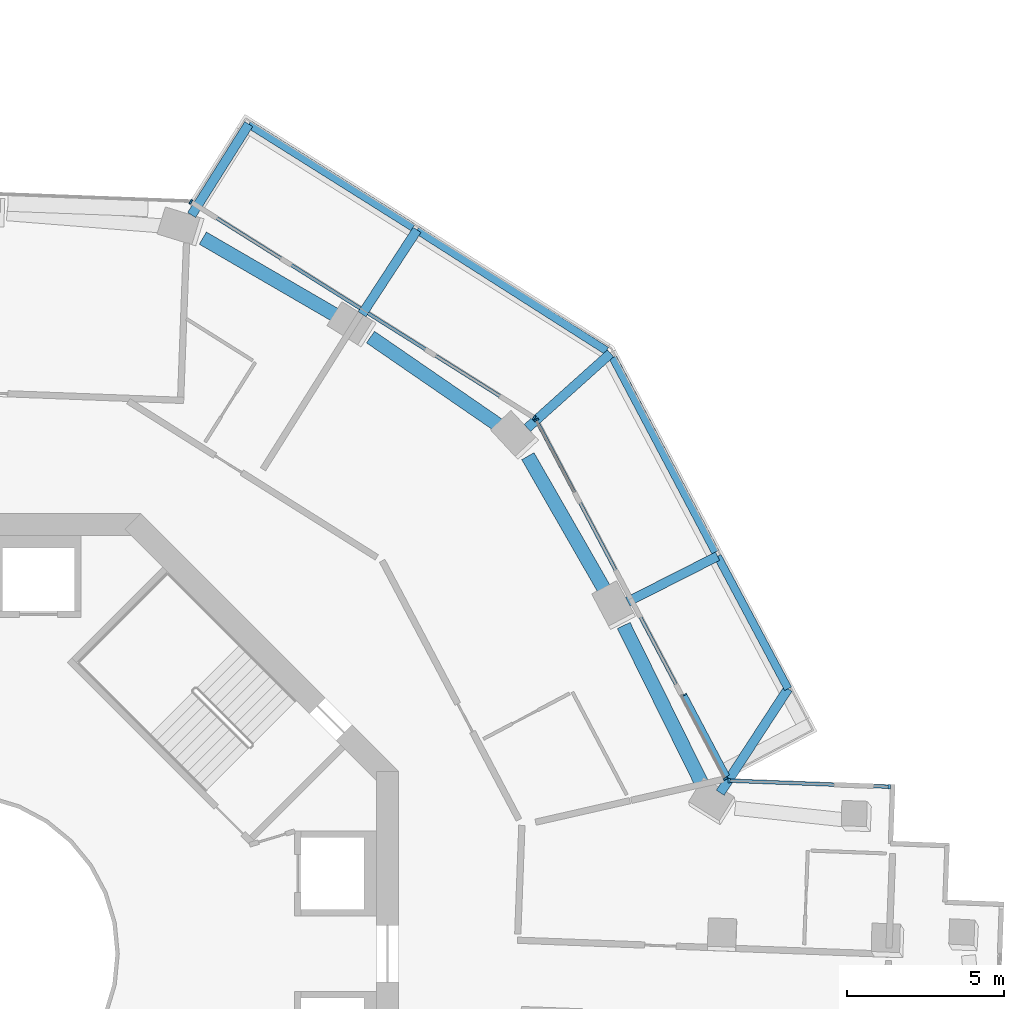
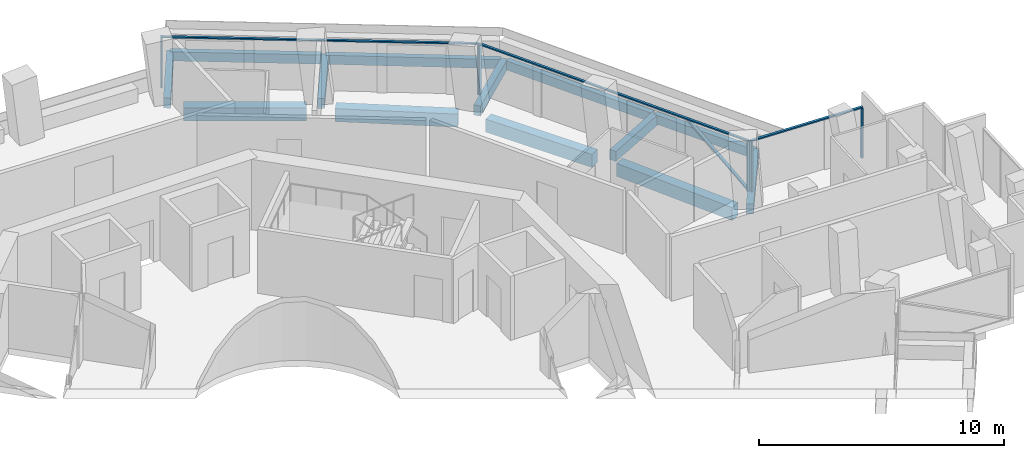
# One storey, part 9 of 23: 13 beams, 10 members, 3 elements without a shape of their own.
"""IFC4 building model written with IfcOpenShell, lengths in metres."""

from ifc_helpers import new_model, si_unit, direction, frame, origin, origin_2d, place, context, subcontext, project, spatial, rectangle, extrude, material, layer, layer_set, material_profile, profile_set, type_object, element, aggregate, save


model = new_model("IFC4")

# Units and contexts
model_context = context("Model", 3, precision=1e-05, world=origin(), true_north=direction((0.0, 1.0)))
body_context = subcontext(model_context, "Body", "Model", "MODEL_VIEW")
ifc_project = project(units=[si_unit("LENGTHUNIT", "METRE"), si_unit("AREAUNIT", "SQUARE_METRE"), si_unit("VOLUMEUNIT", "CUBIC_METRE"), si_unit("PLANEANGLEUNIT", "RADIAN"), si_unit("MASSUNIT", "GRAM", prefix="KILO")], contexts=[model_context])

# Site, building, storey
site_placement = place(None, origin())
site = spatial("IfcSite", under=ifc_project, at=site_placement, CompositionType="ELEMENT")
building_placement = place(site_placement, origin())
building = spatial("IfcBuilding", under=site, at=building_placement, Name="Verdalira Terraces Hotel", CompositionType="ELEMENT")
storey_placement = place(building_placement, frame((0.0, 0.0, 147.0)))
storey = spatial("IfcBuildingStorey", under=building, at=storey_placement, Name="L35", CompositionType="ELEMENT", Elevation=147.0)

# Beams
ifc_material_1 = material(Name="Concrete C40", Category="concrete")
ifc_material_profile_1 = material_profile(ifc_material_1, rectangle(XDim=0.300049, YDim=0.5, at=origin_2d()), Name="RC 300X500")
ifc_profile_set_1 = profile_set([ifc_material_profile_1], Name="Concrete C40")
beam_type_1 = type_object("IfcBeamType", Name="Balcony cantilever beam RC 300X500 C40", PredefinedType="BEAM", material=ifc_profile_set_1)
beam_1_placement = place(storey_placement, frame((24.234863, 5.120605, -0.560059), z_axis=(0.546371471, 0.837542964, 0.0), x_axis=(-0.837542964, 0.546371471, 0.0)))
element("IfcBeam", 1, at=beam_1_placement, inside=storey, type_object=beam_type_1, Name="Balcony cantilever beam R39-1", PredefinedType="BEAM", context=body_context, shape_type="SweptSolid", body=[
    extrude(rectangle(XDim=0.300049, YDim=0.5, at=origin_2d()), origin(), (0.0, 0.0, 1.0), 3.949951),
])
beam_2_placement = place(storey_placement, frame((21.293213, 11.19751, -0.560059), z_axis=(0.891942274, 0.45214929, 0.0), x_axis=(-0.45214929, 0.891942274, 0.0)))
element("IfcBeam", 2, at=beam_2_placement, inside=storey, type_object=beam_type_1, Name="Balcony cantilever beam R39-2", PredefinedType="BEAM", context=body_context, shape_type="SweptSolid", body=[
    extrude(rectangle(XDim=0.300049, YDim=0.5, at=origin_2d()), origin(), (0.0, 0.0, 1.0), 3.200928),
])
beam_3_placement = place(storey_placement, frame((18.098633, 16.723877, -0.560059), z_axis=(0.74453532, 0.667583071, 0.0), x_axis=(-0.667583071, 0.74453532, 0.0)))
element("IfcBeam", 3, at=beam_3_placement, inside=storey, type_object=beam_type_1, Name="Balcony cantilever beam R39-3", PredefinedType="BEAM", context=body_context, shape_type="SweptSolid", body=[
    extrude(rectangle(XDim=0.300049, YDim=0.5, at=origin_2d()), origin(), (0.0, 0.0, 1.0), 3.556396),
])
beam_4_placement = place(storey_placement, frame((12.841797, 20.343994, -0.560059), z_axis=(0.546400387, 0.837524099, 0.0), x_axis=(-0.837524099, 0.546400387, 0.0)))
element("IfcBeam", 4, at=beam_4_placement, inside=storey, type_object=beam_type_1, Name="Balcony cantilever beam R39-4", PredefinedType="BEAM", context=body_context, shape_type="SweptSolid", body=[
    extrude(rectangle(XDim=0.300049, YDim=0.5, at=origin_2d()), origin(), (0.0, 0.0, 1.0), 3.200928),
])
beam_5_placement = place(storey_placement, frame((7.418945, 23.497559, -0.560059), z_axis=(0.532276892, 0.846570322, 0.0), x_axis=(-0.846570322, 0.532276892, 0.0)))
element("IfcBeam", 5, at=beam_5_placement, inside=storey, type_object=beam_type_1, Name="Balcony cantilever beam R39-5", PredefinedType="BEAM", context=body_context, shape_type="SweptSolid", body=[
    extrude(rectangle(XDim=0.300049, YDim=0.5, at=origin_2d()), origin(), (0.0, 0.0, 1.0), 3.416992),
])
ifc_material_2 = material(Name="Concrete C40", Category="concrete")
ifc_material_profile_2 = material_profile(ifc_material_2, rectangle(XDim=0.25, YDim=0.449951, at=origin_2d()), Name="RC 250X450")
ifc_profile_set_2 = profile_set([ifc_material_profile_2], Name="Concrete C40")
beam_type_2 = type_object("IfcBeamType", Name="Balcony edge beam RC 250X450 C40", PredefinedType="BEAM", material=ifc_profile_set_2)
beam_6_placement = place(storey_placement, frame((26.393066, 8.428955, -0.534912), z_axis=(-0.470007114, 0.882662627, 0.0), x_axis=(-0.882662627, -0.470007114, 0.0)))
element("IfcBeam", 6, at=beam_6_placement, inside=storey, type_object=beam_type_2, Name="Balcony edge beam R39-1", PredefinedType="BEAM", context=body_context, shape_type="SweptSolid", body=[
    extrude(rectangle(XDim=0.25, YDim=0.449951, at=origin_2d()), origin(), (0.0, 0.0, 1.0), 4.776367),
])
beam_7_placement = place(storey_placement, frame((24.078369, 12.777344, -0.534912), z_axis=(-0.466291896, 0.884630922, 0.0), x_axis=(-0.884630922, -0.466291896, 0.0)))
element("IfcBeam", 7, at=beam_7_placement, inside=storey, type_object=beam_type_2, Name="Balcony edge beam R39-2", PredefinedType="BEAM", context=body_context, shape_type="SweptSolid", body=[
    extrude(rectangle(XDim=0.25, YDim=0.449951, at=origin_2d()), origin(), (0.0, 0.0, 1.0), 6.990234),
])
beam_8_placement = place(storey_placement, frame((20.615479, 19.181885, -0.534912), z_axis=(-0.843081403, 0.537785969, 0.0), x_axis=(-0.537785969, -0.843081403, 0.0)))
element("IfcBeam", 8, at=beam_8_placement, inside=storey, type_object=beam_type_2, Name="Balcony edge beam R39-3", PredefinedType="BEAM", context=body_context, shape_type="SweptSolid", body=[
    extrude(rectangle(XDim=0.25, YDim=0.449951, at=origin_2d()), origin(), (0.0, 0.0, 1.0), 7.145996),
])
beam_9_placement = place(storey_placement, frame((14.463623, 23.104492, -0.534912), z_axis=(-0.846557626, 0.532297084, 0.0), x_axis=(-0.532297084, -0.846557626, 0.0)))
element("IfcBeam", 9, at=beam_9_placement, inside=storey, type_object=beam_type_2, Name="Balcony edge beam R39-4", PredefinedType="BEAM", context=body_context, shape_type="SweptSolid", body=[
    extrude(rectangle(XDim=0.25, YDim=0.449951, at=origin_2d()), origin(), (0.0, 0.0, 1.0), 6.173096),
])

# Curtain wall, members
ifc_material_3 = material(Name="Clear glass", Category="glass")
ifc_layer_1 = layer(ifc_material_3, 0.14990234375)
ifc_layer_set_1 = layer_set([ifc_layer_1], Name="CW1 curtain wall")
curtain_wall_type_1 = type_object("IfcCurtainWallType", Name="CW1 curtain wall", PredefinedType="NOTDEFINED", material=ifc_layer_set_1)
curtain_wall_1_placement = place(storey_placement, origin())
curtain_wall_1 = element("IfcCurtainWall", 10, at=curtain_wall_1_placement, inside=storey, type_object=curtain_wall_type_1, Name="CW1 curtain wall L35 edge 39", PredefinedType="NOTDEFINED")
ifc_material_4 = material(Name="Terracotta frame", Category="masonry")
ifc_material_profile_3 = material_profile(ifc_material_4, rectangle(XDim=0.060059, YDim=0.149902, at=origin_2d()), Name="MU 60x150")
ifc_profile_set_3 = profile_set([ifc_material_profile_3], Name="Terracotta frame")
member_type_1 = type_object("IfcMemberType", Name="CW1 mullion 60x150", PredefinedType="MULLION", material=ifc_profile_set_3)
member_1_placement = place(storey_placement, frame((24.405762, 5.57251, 0.0), z_axis=(0.0, 0.0, 1.0), x_axis=(-0.467004081, 0.88425516, 0.0)))
member_1 = element("IfcMember", 11, at=member_1_placement, type_object=member_type_1, Name="CW1 mullion", PredefinedType="MULLION", context=body_context, shape_type="SweptSolid", body=[
    extrude(rectangle(XDim=0.060059, YDim=0.149902, at=origin_2d()), origin(), (0.0, 0.0, 1.0), 2.475098),
])
member_2_placement = place(storey_placement, frame((18.381592, 16.979248, 0.0), z_axis=(0.0, 0.0, 1.0), x_axis=(-0.467004081, 0.88425516, 0.0)))
member_2 = element("IfcMember", 12, at=member_2_placement, type_object=member_type_1, Name="CW1 mullion", PredefinedType="MULLION", context=body_context, shape_type="SweptSolid", body=[
    extrude(rectangle(XDim=0.060059, YDim=0.149902, at=origin_2d()), origin(), (0.0, 0.0, 1.0), 2.475098),
])

curtain_wall_2_placement = place(storey_placement, origin())
curtain_wall_2 = element("IfcCurtainWall", 13, at=curtain_wall_2_placement, inside=storey, type_object=curtain_wall_type_1, Name="CW1 curtain wall L35 edge 40", PredefinedType="NOTDEFINED")
member_3_placement = place(storey_placement, frame((18.315674, 17.050293, 0.0), z_axis=(0.0, 0.0, 1.0), x_axis=(-0.846564978, 0.532285392, 0.0)))
member_3 = element("IfcMember", 14, at=member_3_placement, type_object=member_type_1, Name="CW1 mullion", PredefinedType="MULLION", context=body_context, shape_type="SweptSolid", body=[
    extrude(rectangle(XDim=0.060059, YDim=0.149902, at=origin_2d()), origin(), (0.0, 0.0, 1.0), 2.475098),
])
member_4_placement = place(storey_placement, frame((7.395264, 23.916748, 0.0), z_axis=(0.0, 0.0, 1.0), x_axis=(-0.846564978, 0.532285392, 0.0)))
member_4 = element("IfcMember", 15, at=member_4_placement, type_object=member_type_1, Name="CW1 mullion", PredefinedType="MULLION", context=body_context, shape_type="SweptSolid", body=[
    extrude(rectangle(XDim=0.060059, YDim=0.149902, at=origin_2d()), origin(), (0.0, 0.0, 1.0), 2.475098),
])

# Member
ifc_material_5 = material(Name="Terracotta frame", Category="masonry")
ifc_material_profile_4 = material_profile(ifc_material_5, rectangle(XDim=0.110107, YDim=0.064941, at=origin_2d()), Name="TR 65x110")
ifc_profile_set_4 = profile_set([ifc_material_profile_4], Name="Terracotta frame")
member_type_2 = type_object("IfcMemberType", Name="CW1 transom 65x110", PredefinedType="USERDEFINED", material=ifc_profile_set_4)
member_5_placement = place(storey_placement, frame((24.419678, 5.546143, 2.507568), z_axis=(-0.467003762, 0.884255329, 0.0), x_axis=(-0.884255329, -0.467003762, 0.0)))
member_5 = element("IfcMember", 16, at=member_5_placement, type_object=member_type_2, Name="CW1 transom", ObjectType="TRANSOM", PredefinedType="USERDEFINED", context=body_context, shape_type="SweptSolid", body=[
    extrude(rectangle(XDim=0.110107, YDim=0.064941, at=origin_2d()), origin(), (0.0, 0.0, 1.0), 12.959717),
])

member_6_placement = place(storey_placement, frame((18.341064, 17.03418, 2.507568), z_axis=(-0.846557968, 0.532296541, 0.0), x_axis=(-0.532296541, -0.846557968, 0.0)))
member_6 = element("IfcMember", 17, at=member_6_placement, type_object=member_type_2, Name="CW1 transom", ObjectType="TRANSOM", PredefinedType="USERDEFINED", context=body_context, shape_type="SweptSolid", body=[
    extrude(rectangle(XDim=0.110107, YDim=0.064941, at=origin_2d()), origin(), (0.0, 0.0, 1.0), 12.959717),
])

aggregate(curtain_wall_2, [member_3, member_4, member_6])

# Curtain wall, members
ifc_material_6 = material(Name="Clear glass", Category="glass")
ifc_layer_2 = layer(ifc_material_6, 0.14990234375)
ifc_layer_set_2 = layer_set([ifc_layer_2], Name="CW2 curtain wall")
curtain_wall_type_2 = type_object("IfcCurtainWallType", Name="CW2 curtain wall", PredefinedType="NOTDEFINED", material=ifc_layer_set_2)
curtain_wall_3_placement = place(storey_placement, origin())
curtain_wall_3 = element("IfcCurtainWall", 18, at=curtain_wall_3_placement, inside=storey, type_object=curtain_wall_type_2, Name="CW2 curtain wall L35 edge 38", PredefinedType="NOTDEFINED")
ifc_material_7 = material(Name="Terracotta frame", Category="masonry")
ifc_material_profile_5 = material_profile(ifc_material_7, rectangle(XDim=0.070068, YDim=0.149902, at=origin_2d()), Name="MU 70x150")
ifc_profile_set_5 = profile_set([ifc_material_profile_5], Name="Terracotta frame")
member_type_3 = type_object("IfcMemberType", Name="CW2 mullion 70x150", PredefinedType="MULLION", material=ifc_profile_set_5)
member_7_placement = place(storey_placement, frame((29.611816, 5.312744, 0.0), z_axis=(0.0, 0.0, 1.0), x_axis=(-0.999289473, 0.037690183, 0.0)))
member_7 = element("IfcMember", 19, at=member_7_placement, type_object=member_type_3, Name="CW2 mullion", PredefinedType="MULLION", context=body_context, shape_type="SweptSolid", body=[
    extrude(rectangle(XDim=0.070068, YDim=0.149902, at=origin_2d()), origin(), (0.0, 0.0, 1.0), 2.475098),
])
member_8_placement = place(storey_placement, frame((24.518311, 5.504883, 0.0), z_axis=(0.0, 0.0, 1.0), x_axis=(-0.999289473, 0.037690183, 0.0)))
member_8 = element("IfcMember", 20, at=member_8_placement, type_object=member_type_3, Name="CW2 mullion", PredefinedType="MULLION", context=body_context, shape_type="SweptSolid", body=[
    extrude(rectangle(XDim=0.070068, YDim=0.149902, at=origin_2d()), origin(), (0.0, 0.0, 1.0), 2.475098),
])
ifc_material_8 = material(Name="Terracotta frame", Category="masonry")
ifc_material_profile_6 = material_profile(ifc_material_8, rectangle(XDim=0.11499, YDim=0.064941, at=origin_2d()), Name="TR 65x115")
ifc_profile_set_6 = profile_set([ifc_material_profile_6], Name="Terracotta frame")
member_type_4 = type_object("IfcMemberType", Name="CW2 transom 65x115", PredefinedType="USERDEFINED", material=ifc_profile_set_6)
member_9_placement = place(storey_placement, frame((29.646729, 5.311279, 2.507568), z_axis=(-0.999288964, 0.037703669, 0.0), x_axis=(-0.037703669, -0.999288964, 0.0)))
member_9 = element("IfcMember", 21, at=member_9_placement, type_object=member_type_4, Name="CW2 transom", ObjectType="TRANSOM", PredefinedType="USERDEFINED", context=body_context, shape_type="SweptSolid", body=[
    extrude(rectangle(XDim=0.11499, YDim=0.064941, at=origin_2d()), origin(), (0.0, 0.0, 1.0), 5.167236),
])
aggregate(curtain_wall_3, [member_7, member_8, member_9])

# Member
ifc_material_9 = material(Name="Terracotta frame", Category="masonry")
ifc_material_profile_7 = material_profile(ifc_material_9, rectangle(XDim=0.149902, YDim=0.060059, at=origin_2d()), Name="GB 60x150")
ifc_profile_set_7 = profile_set([ifc_material_profile_7], Name="Terracotta frame")
member_type_5 = type_object("IfcMemberType", Name="Diagonal glazing bar 60x150", PredefinedType="USERDEFINED", material=ifc_profile_set_7)
member_10_placement = place(storey_placement, frame((24.456787, 5.666504, 0.024414), z_axis=(-0.358511094, 0.678849784, 0.640806341), x_axis=(-0.884261447, -0.466992177, 0.0)))
member_10 = element("IfcMember", 22, at=member_10_placement, type_object=member_type_5, Name="Diagonal glazing bar", ObjectType="GLAZING BAR", PredefinedType="USERDEFINED", context=body_context, shape_type="SweptSolid", body=[
    extrude(rectangle(XDim=0.149902, YDim=0.060059, at=origin_2d()), origin(), (0.0, 0.0, 1.0), 3.786377),
])

aggregate(curtain_wall_1, [member_1, member_2, member_5, member_10])

# Beams
ifc_material_10 = material(Name="Concrete C50", Category="concrete")
ifc_material_profile_8 = material_profile(ifc_material_10, rectangle(XDim=0.449951, YDim=0.649902, at=origin_2d()), Name="RC 450X650")
ifc_profile_set_8 = profile_set([ifc_material_profile_8], Name="Concrete C50")
beam_type_3 = type_object("IfcBeamType", Name="Spandrel beam RC 450X650 C50", PredefinedType="SPANDREL", material=ifc_profile_set_8)
beam_10_placement = place(storey_placement, frame((23.675537, 5.355713, -0.63501), z_axis=(-0.442593173, 0.896722523, 0.0), x_axis=(-0.896722523, -0.442593173, 0.0)))
element("IfcBeam", 23, at=beam_10_placement, inside=storey, type_object=beam_type_3, Name="Spandrel beam B18", PredefinedType="SPANDREL", context=body_context, shape_type="SweptSolid", body=[
    extrude(rectangle(XDim=0.449951, YDim=0.649902, at=origin_2d()), origin(), (0.0, 0.0, 1.0), 5.671631),
])
beam_11_placement = place(storey_placement, frame((20.611084, 11.479736, -0.63501), z_axis=(-0.497889906, 0.867240244, 0.0), x_axis=(-0.867240244, -0.497889906, 0.0)))
element("IfcBeam", 24, at=beam_11_placement, inside=storey, type_object=beam_type_3, Name="Spandrel beam B19", PredefinedType="SPANDREL", context=body_context, shape_type="SweptSolid", body=[
    extrude(rectangle(XDim=0.449951, YDim=0.649902, at=origin_2d()), origin(), (0.0, 0.0, 1.0), 5.012451),
])
beam_12_placement = place(storey_placement, frame((17.241455, 16.772217, -0.63501), z_axis=(-0.823820294, 0.566851059, 0.0), x_axis=(-0.566851059, -0.823820294, 0.0)))
element("IfcBeam", 25, at=beam_12_placement, inside=storey, type_object=beam_type_3, Name="Spandrel beam B20", PredefinedType="SPANDREL", context=body_context, shape_type="SweptSolid", body=[
    extrude(rectangle(XDim=0.449951, YDim=0.649902, at=origin_2d()), origin(), (0.0, 0.0, 1.0), 5.015381),
])
beam_13_placement = place(storey_placement, frame((12.110107, 20.247314, -0.63501), z_axis=(-0.864817602, 0.502086164, 0.0), x_axis=(-0.502086164, -0.864817602, 0.0)))
element("IfcBeam", 26, at=beam_13_placement, inside=storey, type_object=beam_type_3, Name="Spandrel beam B21", PredefinedType="SPANDREL", context=body_context, shape_type="SweptSolid", body=[
    extrude(rectangle(XDim=0.449951, YDim=0.649902, at=origin_2d()), origin(), (0.0, 0.0, 1.0), 5.012207),
])

save(model, "model.ifc")
